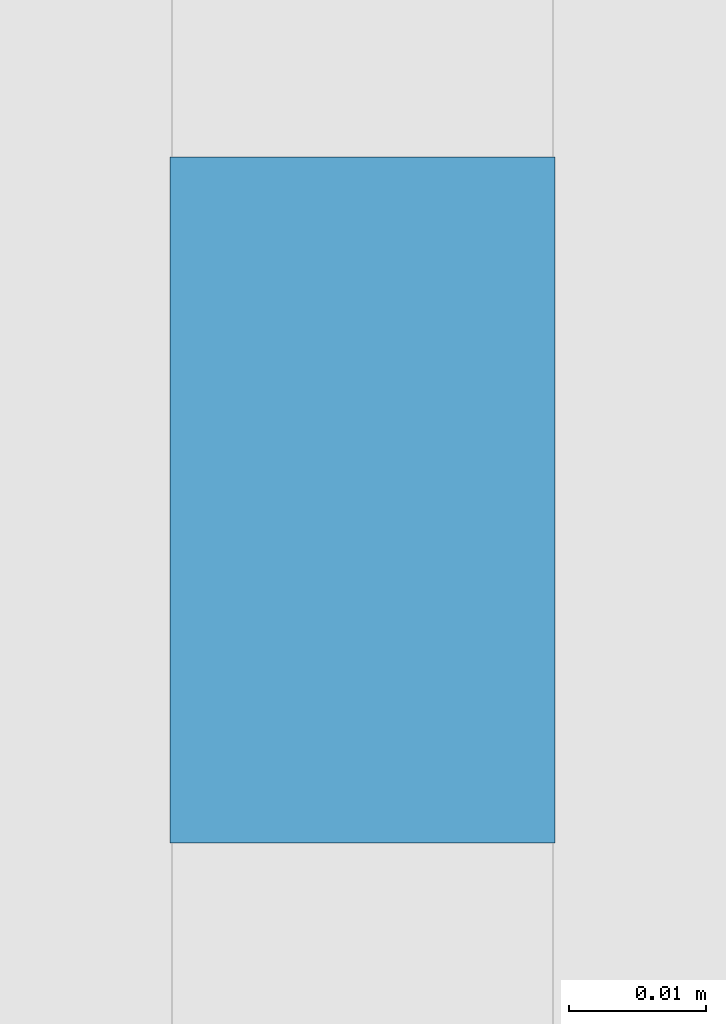
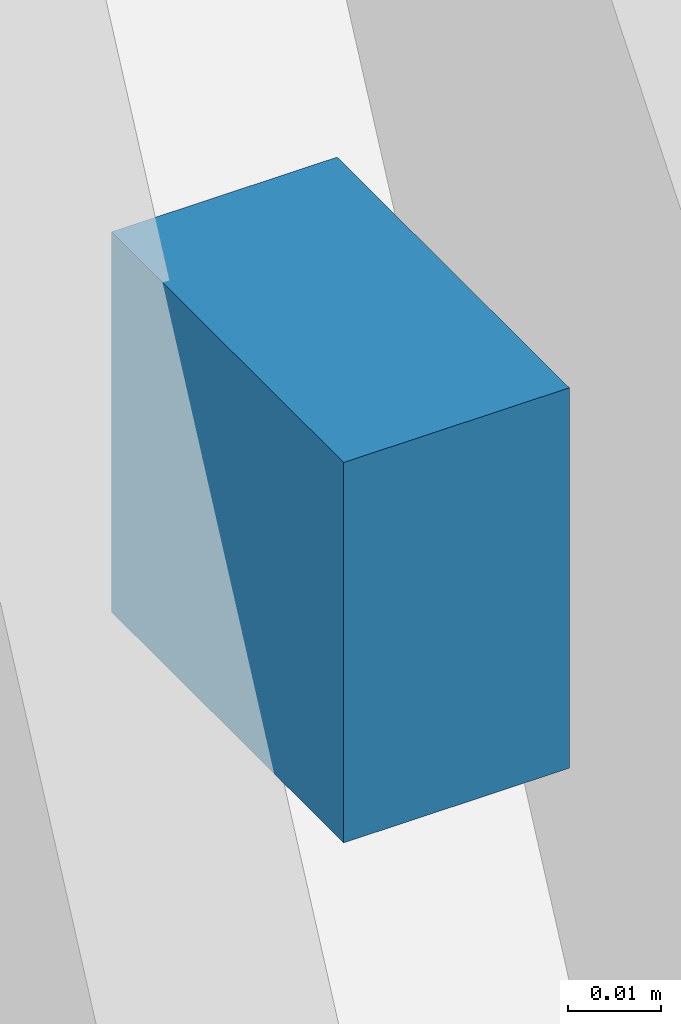
# One storey, part 13 of 18: 1 discrete accessory, 1 element without a shape of its own.
"""IFC4 building model written with IfcOpenShell, lengths in metres."""

from ifc_helpers import new_model, si_unit, direction, frame, origin, origin_2d, place, context, subcontext, project, spatial, rectangle, extrude, material, type_object, element, aggregate, save


model = new_model("IFC4")

# Units and contexts
model_context = context("Model", 3, precision=1e-05, world=origin(), true_north=direction((0.0, 1.0)))
body_context = subcontext(model_context, "Body", "Model", "MODEL_VIEW")
ifc_project = project(units=[si_unit("LENGTHUNIT", "METRE"), si_unit("AREAUNIT", "SQUARE_METRE"), si_unit("VOLUMEUNIT", "CUBIC_METRE"), si_unit("PLANEANGLEUNIT", "RADIAN"), si_unit("MASSUNIT", "GRAM", prefix="KILO")], contexts=[model_context])

# Site, building, storey
site_placement = place(None, origin())
site = spatial("IfcSite", under=ifc_project, at=site_placement, CompositionType="ELEMENT")
building_placement = place(site_placement, origin())
building = spatial("IfcBuilding", under=site, at=building_placement, Name="Tessera Arch", CompositionType="ELEMENT")
storey_placement = place(building_placement, frame((0.0, 0.0, 154.39990234375)))
storey = spatial("IfcBuildingStorey", under=building, at=storey_placement, Name="L36", CompositionType="ELEMENT", Elevation=154.39990234375)

# Curtain wall, discrete accessory
ifc_material = material(Name="CW3 curtain wall")
curtain_wall_type = type_object("IfcCurtainWallType", Name="CW3 curtain wall", PredefinedType="NOTDEFINED", material=ifc_material)
curtain_wall_placement = place(storey_placement, origin())
curtain_wall = element("IfcCurtainWall", 1, at=curtain_wall_placement, inside=storey, type_object=curtain_wall_type, Name="CW3 curtain wall W0.27/1 L36", PredefinedType="NOTDEFINED")
discrete_accessory_placement = place(storey_placement, frame((-0.0439453125, 39.954833984375, 1.10888671875), z_axis=(0.0, 0.0, 1.0), x_axis=(0.0, -1.0, 0.0)))
discrete_accessory = element("IfcDiscreteAccessory", 2, at=discrete_accessory_placement, Name="Glazing bracket", PredefinedType="BRACKET", context=body_context, shape_type="SweptSolid", body=[
    extrude(rectangle(XDim=0.050048828125, YDim=0.028076171875, at=origin_2d()), origin(), (0.0, 0.0, 1.0), 0.050048828125),
])
aggregate(curtain_wall, [discrete_accessory])

save(model, "model.ifc")
